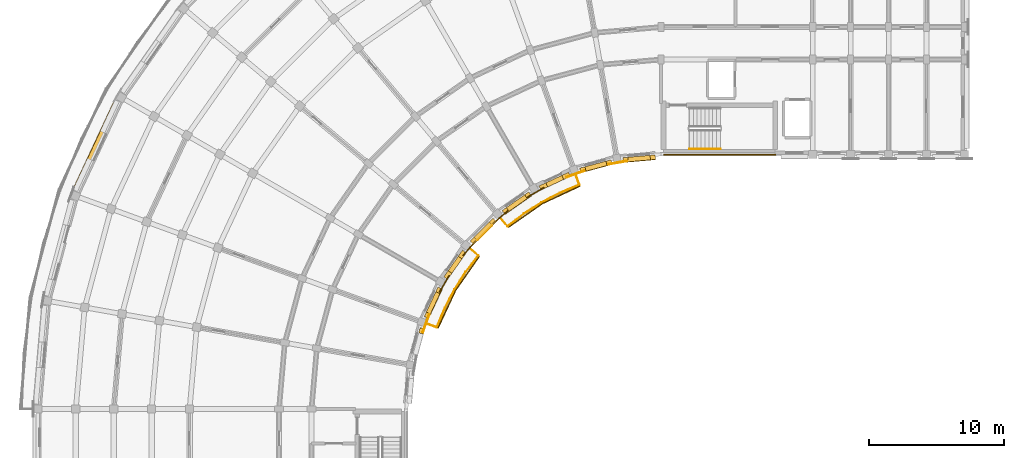
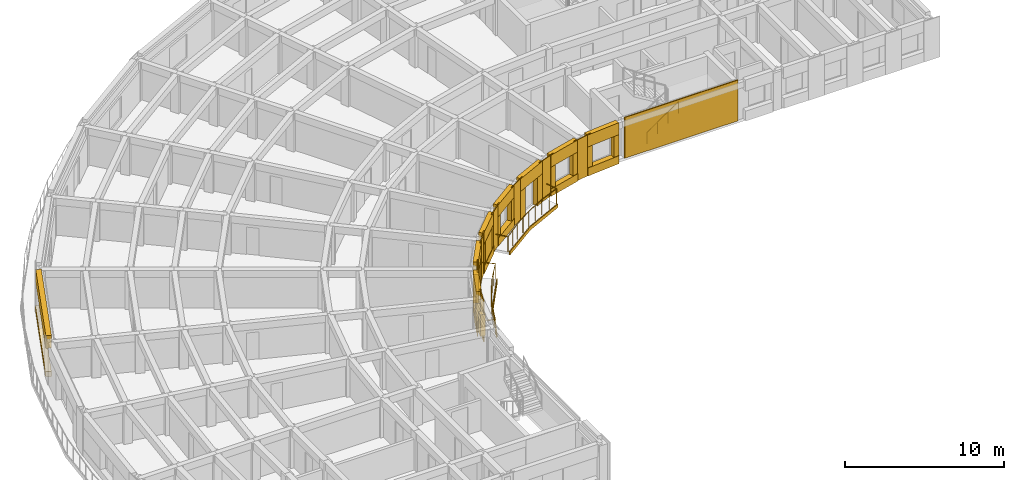
# One storey, part 42 of 53: 39 coverings, 3 railings, 1 shading device.
"""IFC4 building model written with IfcOpenShell, lengths in metres."""

import ifcopenshell
import ifcopenshell.guid

model = None  # the IFC model being written
_history = None  # IfcOwnerHistory: only IFC2X3 demands one
_inside = {}  # id of a spatial element -> (the spatial element, [elements in it])
_under = {}  # id of a project, library or spatial element -> (it, [spatial elements below it])
_declared = {}  # id of a project -> (the project, [libraries it declares])
_typed = {}  # id of a type object -> (the type object, [elements of that type])
_made_of = {}  # id of a material, layer set ... -> (it, [elements and type objects made of it])


def new_model(schema):
    """Start an empty IFC model of exactly this schema.

    Asked for "IFC4X3", IfcOpenShell would pick the latest addendum, in which some entities
    have other attributes; the version numbers below select the first issue.
    IFC2X3 requires an IfcOwnerHistory on every rooted entity: one is made here for all.
    """
    global model, _history
    if schema == "IFC4X3":
        model = ifcopenshell.file(schema_version=(4, 3, 0, 0))
    else:
        model = ifcopenshell.file(schema=schema)
    _inside.clear()
    _under.clear()
    _declared.clear()
    _typed.clear()
    _made_of.clear()
    _history = None
    if model.schema == "IFC2X3":
        org = make("IfcOrganization", Name="unknown")
        user = make(
            "IfcPersonAndOrganization",
            ThePerson=make("IfcPerson", FamilyName="unknown"),
            TheOrganization=org,
        )
        app = make(
            "IfcApplication",
            ApplicationDeveloper=org,
            Version="unknown",
            ApplicationFullName="unknown",
            ApplicationIdentifier="unknown",
        )
        _history = make(
            "IfcOwnerHistory",
            OwningUser=user,
            OwningApplication=app,
            ChangeAction="ADDED",
            CreationDate=0,
        )
    return model


def make(cls, **values):
    """One entity of the class cls with the attributes given. An attribute that is None is left unset."""
    return model.create_entity(
        cls, **{name: value for name, value in values.items() if value is not None}
    )


def rooted(cls, **values):
    """An entity with a GlobalId (a new one), such as an element, a storey or a relation."""
    return make(cls, GlobalId=ifcopenshell.guid.new(), OwnerHistory=_history, **values)


def si_unit(unit_type, name, prefix=None):
    """IfcSIUnit, for example si_unit("LENGTHUNIT", "METRE", prefix="MILLI")."""
    return make("IfcSIUnit", UnitType=unit_type, Prefix=prefix, Name=name)


def assignment(units):
    """IfcUnitAssignment: the units of a project."""
    return None if units is None else make("IfcUnitAssignment", Units=units)


def point(xyz):
    """IfcCartesianPoint."""
    return None if xyz is None else make("IfcCartesianPoint", Coordinates=xyz)


def direction(xyz):
    """IfcDirection."""
    return None if xyz is None else make("IfcDirection", DirectionRatios=xyz)


def frame(location, z_axis=None, x_axis=None):
    """IfcAxis2Placement3D, a coordinate frame: its origin and axes. An axis left out is left unset."""
    return make(
        "IfcAxis2Placement3D",
        Location=point(location),
        Axis=direction(z_axis),
        RefDirection=direction(x_axis),
    )


def frame_2d(location, x_axis=None):
    """IfcAxis2Placement2D, a coordinate frame in the plane: its origin and x axis."""
    return make(
        "IfcAxis2Placement2D", Location=point(location), RefDirection=direction(x_axis)
    )


def origin():
    """The frame at (0, 0, 0) with its axes left unset."""
    return frame((0.0, 0.0, 0.0))


def origin_2d():
    """The frame at (0, 0) in the plane with its x axis left unset."""
    return frame_2d((0.0, 0.0))


def place(relative_to, where):
    """IfcLocalPlacement: puts the frame where relative to a parent placement (None: the world)."""
    return make(
        "IfcLocalPlacement", PlacementRelTo=relative_to, RelativePlacement=where
    )


def context(
    kind, dimensions, precision=None, world=None, true_north=None, identifier=None
):
    """IfcGeometricRepresentationContext, for example the 3D "Model" context."""
    return make(
        "IfcGeometricRepresentationContext",
        ContextIdentifier=identifier,
        ContextType=kind,
        CoordinateSpaceDimension=dimensions,
        Precision=precision,
        WorldCoordinateSystem=world,
        TrueNorth=true_north,
    )


def subcontext(parent, identifier, kind, view, scale=None):
    """IfcGeometricRepresentationSubContext, for example "Body" below "Model"."""
    return make(
        "IfcGeometricRepresentationSubContext",
        ContextIdentifier=identifier,
        ContextType=kind,
        ParentContext=parent,
        TargetScale=scale,
        TargetView=view,
    )


def project(units=None, contexts=None):
    """IfcProject with its units and contexts."""
    return rooted(
        "IfcProject",
        Name="project",
        RepresentationContexts=contexts,
        UnitsInContext=assignment(units),
    )


def spatial(cls, under=None, at=None, **own):
    """A site, building, storey or space (cls), placed at a placement, below another one or the project."""
    s = rooted(cls, ObjectPlacement=at, **own)
    if under is not None:
        _under.setdefault(under.id(), (under, []))[1].append(s)
    return s


def polyline(points):
    """IfcPolyline through the points."""
    return make("IfcPolyline", Points=[point(p) for p in points])


def profile(cls, at=None, kind="AREA", **sizes):
    """A parametric profile (cls). Its sizes go by their IFC names, for example OverallWidth=200.0."""
    return make(cls, ProfileType=kind, Position=at, **sizes)


def rectangle(**sizes):
    """IfcRectangleProfileDef."""
    return profile("IfcRectangleProfileDef", **sizes)


def circle(**sizes):
    """IfcCircleProfileDef."""
    return profile("IfcCircleProfileDef", **sizes)


def outline(outer, holes=None, kind="AREA"):
    """IfcArbitraryClosedProfileDef: a profile drawn as a closed curve; with holes, ...WithVoids."""
    if holes is None:
        return make("IfcArbitraryClosedProfileDef", ProfileType=kind, OuterCurve=outer)
    return make(
        "IfcArbitraryProfileDefWithVoids",
        ProfileType=kind,
        OuterCurve=outer,
        InnerCurves=holes,
    )


def extrude(swept, where, along, depth):
    """IfcExtrudedAreaSolid: the profile swept, set in the frame where, extruded along a direction by depth."""
    return make(
        "IfcExtrudedAreaSolid",
        SweptArea=swept,
        Position=where,
        ExtrudedDirection=direction(along),
        Depth=depth,
    )


def shape(context_of_items, identifier, shape_type, items):
    """IfcShapeRepresentation: the items that make up one representation, for example the "Body"."""
    return make(
        "IfcShapeRepresentation",
        ContextOfItems=context_of_items,
        RepresentationIdentifier=identifier,
        RepresentationType=shape_type,
        Items=items,
    )


def material(Name=None, Category=None):
    """IfcMaterial."""
    return make("IfcMaterial", Name=Name, Category=Category)


def layer(
    of_material, thickness, ventilated=None, Name=None, Category=None, Priority=None
):
    """IfcMaterialLayer: one layer of a wall or slab, of a material (None: an air gap)."""
    return make(
        "IfcMaterialLayer",
        Material=of_material,
        LayerThickness=thickness,
        IsVentilated=ventilated,
        Name=Name,
        Category=Category,
        Priority=Priority,
    )


def layer_set(layers, Name=None):
    """IfcMaterialLayerSet."""
    return make("IfcMaterialLayerSet", MaterialLayers=layers, LayerSetName=Name)


def made_of(thing, what):
    """Note that an element or type object is made of a material, layer set ...; save() writes the relation."""
    if what is not None:
        _made_of.setdefault(what.id(), (what, []))[1].append(thing)
    return thing


def type_object(cls, material=None, **own):
    """A type object (cls), such as IfcWallType, which elements share."""
    return made_of(rooted(cls, **own), material)


def element(
    cls,
    number,
    at=None,
    inside=None,
    cuts=None,
    type_object=None,
    material=None,
    context=None,
    identifier="Body",
    shape_type=None,
    held_by="IfcProductDefinitionShape",
    body=None,
    shapes=None,
    **own,
):
    """One element of the class cls, such as IfcWall. Its Tag is "e" and its number.

    at: its placement. inside: the storey or other place that contains it. cuts: it is an
    opening in that element (IfcRelVoidsElement). A single representation is given by context,
    identifier, shape_type and body (its items); several are given by shapes. held_by: the class
    of the entity that holds the representations. save() writes the other relations.
    """
    e = rooted(cls, Tag="e%d" % number, ObjectPlacement=at, **own)
    if body is not None:
        shapes = [shape(context, identifier, shape_type, body)]
    if shapes is not None:
        e.Representation = make(held_by, Representations=shapes)
    if inside is not None:
        _inside.setdefault(inside.id(), (inside, []))[1].append(e)
    if cuts is not None:
        rooted(
            "IfcRelVoidsElement", RelatingBuildingElement=cuts, RelatedOpeningElement=e
        )
    if type_object is not None:
        _typed.setdefault(type_object.id(), (type_object, []))[1].append(e)
    return made_of(e, material)


def aggregate(whole, parts):
    """IfcRelAggregates: a whole, such as a stair, and the parts it consists of."""
    return rooted("IfcRelAggregates", RelatingObject=whole, RelatedObjects=parts)


def save(model, path):
    """Write the relations noted so far, then the file.

    IfcRelAggregates (storeys below a building ...), IfcRelContainedInSpatialStructure (elements
    in a storey), IfcRelDefinesByType, IfcRelAssociatesMaterial and IfcRelDeclares: one each for
    every whole, place, type object, material and project.
    """
    for whole, parts in _under.values():
        aggregate(whole, parts)
    for where, things in _inside.values():
        rooted(
            "IfcRelContainedInSpatialStructure",
            RelatedElements=things,
            RelatingStructure=where,
        )
    for kind, things in _typed.values():
        rooted("IfcRelDefinesByType", RelatedObjects=things, RelatingType=kind)
    for what, things in _made_of.values():
        rooted("IfcRelAssociatesMaterial", RelatedObjects=things, RelatingMaterial=what)
    for by, libraries in _declared.values():
        rooted("IfcRelDeclares", RelatingContext=by, RelatedDefinitions=libraries)
    model.write(path)


model = new_model("IFC4")

# Units and contexts
model_context = context("Model", 3, precision=1e-05, world=origin(), true_north=direction((0.0, 1.0)))
body_context = subcontext(model_context, "Body", "Model", "MODEL_VIEW")
ifc_project = project(units=[si_unit("LENGTHUNIT", "METRE"), si_unit("AREAUNIT", "SQUARE_METRE"), si_unit("VOLUMEUNIT", "CUBIC_METRE"), si_unit("PLANEANGLEUNIT", "RADIAN"), si_unit("MASSUNIT", "GRAM", prefix="KILO")], contexts=[model_context])

# Site, building, storey
site_placement = place(None, origin())
site = spatial("IfcSite", under=ifc_project, at=site_placement, CompositionType="ELEMENT")
building_placement = place(site_placement, origin())
building = spatial("IfcBuilding", under=site, at=building_placement, Name="Kiranvali Square Residences", CompositionType="ELEMENT")
storey_placement = place(building_placement, frame((0.0, 0.0, 30.75)))
storey = spatial("IfcBuildingStorey", under=building, at=storey_placement, Name="L09", CompositionType="ELEMENT", Elevation=30.75)

# Coverings
ifc_material_1 = material(Name="Carved Porbandar limestone classical entablature and cornice", Category="masonry")
ifc_layer_1 = layer(ifc_material_1, 0.06201171875)
ifc_layer_set_1 = layer_set([ifc_layer_1], Name="Carved Porbandar limestone classical entablature and cornice")
covering_type_1 = type_object("IfcCoveringType", Name="COV-CLAD-GBAL", PredefinedType="CLADDING", material=ifc_layer_set_1)
covering_1_placement = place(storey_placement, frame((0.0, 0.0, -0.219970703125)))
element("IfcCovering", 1, at=covering_1_placement, inside=storey, type_object=covering_type_1, Name="Block A L09 garden balcony limestone fascia 1", PredefinedType="CLADDING", context=body_context, shape_type="SweptSolid", body=[
    extrude(outline(polyline([(42.1982421875, 104.289794921875), (39.426025390625, 102.9970703125), (36.92041015625, 101.242431640625), (36.964111328125, 101.1904296875), (39.4599609375, 102.938232421875), (42.221435546875, 104.225830078125), (42.1982421875, 104.289794921875)])), origin(), (0.0, 0.0, 1.0), 0.27001953125),
])
covering_2_placement = place(storey_placement, frame((0.0, 0.0, -0.219970703125)))
element("IfcCovering", 2, at=covering_2_placement, inside=storey, type_object=covering_type_1, Name="Block A L09 garden balcony limestone fascia 2", PredefinedType="CLADDING", context=body_context, shape_type="SweptSolid", body=[
    extrude(outline(polyline([(34.757568359375, 99.07958984375), (33.0029296875, 96.573974609375), (31.710205078125, 93.8017578125), (31.774169921875, 93.778564453125), (33.061767578125, 96.5400390625), (34.8095703125, 99.035888671875), (34.757568359375, 99.07958984375)])), origin(), (0.0, 0.0, 1.0), 0.27001953125),
])
ifc_material_2 = material(Name="Honed Porbandar limestone ashlar facade cladding", Category="masonry")
ifc_layer_2 = layer(ifc_material_2, 0.3798828125)
ifc_layer_set_2 = layer_set([ifc_layer_2], Name="Honed Porbandar limestone ashlar facade cladding")
covering_type_2 = type_object("IfcCoveringType", Name="COV-CLAD-JAMB", PredefinedType="CLADDING", material=ifc_layer_set_2)
covering_3_placement = place(storey_placement, frame((0.0, 0.0, 0.6220703125)))
element("IfcCovering", 3, at=covering_3_placement, inside=storey, type_object=covering_type_2, Name="L09 deep limestone window jamb reveal A-L09-GDN-00.L", PredefinedType="CLADDING", context=body_context, shape_type="SweptSolid", body=[
    extrude(outline(polyline([(47.76171875, 106.56103515625), (47.3896484375, 106.528564453125), (47.419189453125, 106.1904296875), (47.791259765625, 106.222900390625), (47.76171875, 106.56103515625)])), origin(), (0.0, 0.0, 1.0), 1.599853515625),
])
covering_4_placement = place(storey_placement, frame((0.0, 0.0, 0.6220703125)))
element("IfcCovering", 4, at=covering_4_placement, inside=storey, type_object=covering_type_2, Name="L09 deep limestone window jamb reveal A-L09-GDN-00.R", PredefinedType="CLADDING", context=body_context, shape_type="SweptSolid", body=[
    extrude(outline(polyline([(45.745849609375, 106.384765625), (45.373779296875, 106.352294921875), (45.4033203125, 106.013916015625), (45.775390625, 106.046630859375), (45.745849609375, 106.384765625)])), origin(), (0.0, 0.0, 1.0), 1.599853515625),
])
covering_5_placement = place(storey_placement, frame((0.0, 0.0, 0.572021484375)))
element("IfcCovering", 5, at=covering_5_placement, inside=storey, type_object=covering_type_2, Name="L09 deep limestone window jamb reveal A-L09-GDN-01.L", PredefinedType="CLADDING", context=body_context, shape_type="SweptSolid", body=[
    extrude(outline(polyline([(44.510498046875, 106.199951171875), (44.12548828125, 106.096923828125), (44.21337890625, 105.76904296875), (44.598388671875, 105.8720703125), (44.510498046875, 106.199951171875)])), origin(), (0.0, 0.0, 1.0), 1.64990234375),
])
covering_6_placement = place(storey_placement, frame((0.0, 0.0, 0.572021484375)))
element("IfcCovering", 6, at=covering_6_placement, inside=storey, type_object=covering_type_2, Name="L09 deep limestone window jamb reveal A-L09-GDN-01.R", PredefinedType="CLADDING", context=body_context, shape_type="SweptSolid", body=[
    extrude(outline(polyline([(42.580078125, 105.682861328125), (42.195068359375, 105.57958984375), (42.282958984375, 105.251708984375), (42.66796875, 105.354736328125), (42.580078125, 105.682861328125)])), origin(), (0.0, 0.0, 1.0), 1.64990234375),
])
covering_7_placement = place(storey_placement, origin())
element("IfcCovering", 7, at=covering_7_placement, inside=storey, type_object=covering_type_2, Name="L09 deep limestone window jamb reveal A-L09-GDN-02.L", PredefinedType="CLADDING", context=body_context, shape_type="SweptSolid", body=[
    extrude(outline(polyline([(41.37158203125, 105.27978515625), (40.874267578125, 105.048095703125), (41.017822265625, 104.740234375), (41.514892578125, 104.97216796875), (41.37158203125, 105.27978515625)])), origin(), (0.0, 0.0, 1.0), 2.179931640625),
])
covering_8_placement = place(storey_placement, origin())
element("IfcCovering", 8, at=covering_8_placement, inside=storey, type_object=covering_type_2, Name="L09 deep limestone window jamb reveal A-L09-GDN-02.R", PredefinedType="CLADDING", context=body_context, shape_type="SweptSolid", body=[
    extrude(outline(polyline([(39.696044921875, 104.49853515625), (39.198974609375, 104.266845703125), (39.342529296875, 103.958984375), (39.839599609375, 104.19091796875), (39.696044921875, 104.49853515625)])), origin(), (0.0, 0.0, 1.0), 2.179931640625),
])
covering_9_placement = place(storey_placement, frame((0.0, 0.0, 0.6220703125)))
element("IfcCovering", 9, at=covering_9_placement, inside=storey, type_object=covering_type_2, Name="L09 deep limestone window jamb reveal A-L09-GDN-03.L", PredefinedType="CLADDING", context=body_context, shape_type="SweptSolid", body=[
    extrude(outline(polyline([(38.43994140625, 103.828369140625), (38.1337890625, 103.6142578125), (38.32861328125, 103.336181640625), (38.634521484375, 103.55029296875), (38.43994140625, 103.828369140625)])), origin(), (0.0, 0.0, 1.0), 1.599853515625),
])
covering_10_placement = place(storey_placement, frame((0.0, 0.0, 0.6220703125)))
element("IfcCovering", 10, at=covering_10_placement, inside=storey, type_object=covering_type_2, Name="L09 deep limestone window jamb reveal A-L09-GDN-03.R", PredefinedType="CLADDING", context=body_context, shape_type="SweptSolid", body=[
    extrude(outline(polyline([(36.7822265625, 102.66796875), (36.476318359375, 102.45361328125), (36.671142578125, 102.175537109375), (36.97705078125, 102.3896484375), (36.7822265625, 102.66796875)])), origin(), (0.0, 0.0, 1.0), 1.599853515625),
])
covering_11_placement = place(storey_placement, frame((0.0, 0.0, 0.572021484375)))
element("IfcCovering", 11, at=covering_11_placement, inside=storey, type_object=covering_type_2, Name="L09 deep limestone window jamb reveal A-L09-GDN-04.L", PredefinedType="CLADDING", context=body_context, shape_type="SweptSolid", body=[
    extrude(outline(polyline([(35.804931640625, 101.89013671875), (35.52294921875, 101.6083984375), (35.76318359375, 101.368408203125), (36.044921875, 101.650146484375), (35.804931640625, 101.89013671875)])), origin(), (0.0, 0.0, 1.0), 1.64990234375),
])
covering_12_placement = place(storey_placement, frame((0.0, 0.0, 0.572021484375)))
element("IfcCovering", 12, at=covering_12_placement, inside=storey, type_object=covering_type_2, Name="L09 deep limestone window jamb reveal A-L09-GDN-04.R", PredefinedType="CLADDING", context=body_context, shape_type="SweptSolid", body=[
    extrude(outline(polyline([(34.3916015625, 100.47705078125), (34.10986328125, 100.195068359375), (34.349853515625, 99.955078125), (34.631591796875, 100.23681640625), (34.3916015625, 100.47705078125)])), origin(), (0.0, 0.0, 1.0), 1.64990234375),
])
covering_13_placement = place(storey_placement, origin())
element("IfcCovering", 13, at=covering_13_placement, inside=storey, type_object=covering_type_2, Name="L09 deep limestone window jamb reveal A-L09-GDN-05.L", PredefinedType="CLADDING", context=body_context, shape_type="SweptSolid", body=[
    extrude(outline(polyline([(33.54638671875, 99.523681640625), (33.231689453125, 99.074462890625), (33.509765625, 98.879638671875), (33.824462890625, 99.328857421875), (33.54638671875, 99.523681640625)])), origin(), (0.0, 0.0, 1.0), 2.179931640625),
])
covering_14_placement = place(storey_placement, origin())
element("IfcCovering", 14, at=covering_14_placement, inside=storey, type_object=covering_type_2, Name="L09 deep limestone window jamb reveal A-L09-GDN-05.R", PredefinedType="CLADDING", context=body_context, shape_type="SweptSolid", body=[
    extrude(outline(polyline([(32.486083984375, 98.009521484375), (32.171630859375, 97.56005859375), (32.44970703125, 97.365478515625), (32.76416015625, 97.814697265625), (32.486083984375, 98.009521484375)])), origin(), (0.0, 0.0, 1.0), 2.179931640625),
])
covering_15_placement = place(storey_placement, frame((0.0, 0.0, 0.6220703125)))
element("IfcCovering", 15, at=covering_15_placement, inside=storey, type_object=covering_type_2, Name="L09 deep limestone window jamb reveal A-L09-GDN-06.L", PredefinedType="CLADDING", context=body_context, shape_type="SweptSolid", body=[
    extrude(outline(polyline([(31.733154296875, 96.801025390625), (31.575439453125, 96.46240234375), (31.883056640625, 96.319091796875), (32.041015625, 96.657470703125), (31.733154296875, 96.801025390625)])), origin(), (0.0, 0.0, 1.0), 1.599853515625),
])
covering_16_placement = place(storey_placement, frame((0.0, 0.0, 0.6220703125)))
element("IfcCovering", 16, at=covering_16_placement, inside=storey, type_object=covering_type_2, Name="L09 deep limestone window jamb reveal A-L09-GDN-06.R", PredefinedType="CLADDING", context=body_context, shape_type="SweptSolid", body=[
    extrude(outline(polyline([(30.8779296875, 94.967041015625), (30.72021484375, 94.62841796875), (31.02783203125, 94.485107421875), (31.185791015625, 94.823486328125), (30.8779296875, 94.967041015625)])), origin(), (0.0, 0.0, 1.0), 1.599853515625),
])
covering_17_placement = place(storey_placement, frame((0.0, 0.0, 0.572021484375)))
element("IfcCovering", 17, at=covering_17_placement, inside=storey, type_object=covering_type_2, Name="L09 deep limestone window jamb reveal A-L09-GDN-07.L", PredefinedType="CLADDING", context=body_context, shape_type="SweptSolid", body=[
    extrude(outline(polyline([(30.42041015625, 93.804931640625), (30.317138671875, 93.419921875), (30.645263671875, 93.33203125), (30.748291015625, 93.717041015625), (30.42041015625, 93.804931640625)])), origin(), (0.0, 0.0, 1.0), 1.64990234375),
])
ifc_layer_3 = layer(ifc_material_2, 0.06494140625)
ifc_layer_set_3 = layer_set([ifc_layer_3], Name="Honed Porbandar limestone ashlar facade cladding")
covering_type_3 = type_object("IfcCoveringType", Name="COV-CLAD-PIER", PredefinedType="CLADDING", material=ifc_layer_set_3)
covering_18_placement = place(storey_placement, frame((0.0, 0.0, 0.0048828125)))
element("IfcCovering", 18, at=covering_18_placement, inside=storey, type_object=covering_type_3, Name="Block A L09 garden stair limestone ashlar cladding", PredefinedType="CLADDING", context=body_context, shape_type="SweptSolid", body=[
    extrude(outline(polyline([(48.39990234375, 106.52001953125), (56.64990234375, 106.52001953125), (56.64990234375, 106.597900390625), (48.39990234375, 106.597900390625), (48.39990234375, 106.52001953125)])), origin(), (0.0, 0.0, 1.0), 3.14013671875),
])
ifc_layer_4 = layer(ifc_material_2, 0.050048828125)
ifc_layer_set_4 = layer_set([ifc_layer_4], Name="Honed Porbandar limestone ashlar facade cladding")
covering_type_4 = type_object("IfcCoveringType", Name="COV-CLAD-PIER-IN", PredefinedType="CLADDING", material=ifc_layer_set_4)
covering_19_placement = place(storey_placement, frame((0.0, 0.0, 0.0048828125)))
element("IfcCovering", 19, at=covering_19_placement, inside=storey, type_object=covering_type_4, Name="L09 Classical garden courtyard pilaster CLAD-PRIN-A-L09-A01", PredefinedType="CLADDING", context=body_context, shape_type="SweptSolid", body=[
    extrude(outline(polyline([(44.31005859375, 105.830322265625), (45.688720703125, 106.073486328125), (45.677001953125, 106.139892578125), (44.29833984375, 105.89697265625), (44.31005859375, 105.830322265625)])), origin(), (0.0, 0.0, 1.0), 3.14013671875),
])
covering_20_placement = place(storey_placement, frame((0.0, 0.0, 0.0048828125)))
element("IfcCovering", 20, at=covering_20_placement, inside=storey, type_object=covering_type_4, Name="L09 Classical garden courtyard pilaster CLAD-PRIN-A-L09-A02", PredefinedType="CLADDING", context=body_context, shape_type="SweptSolid", body=[
    extrude(outline(polyline([(41.238037109375, 104.881103515625), (42.5537109375, 105.35986328125), (42.530517578125, 105.42333984375), (41.215087890625, 104.9443359375), (41.238037109375, 104.881103515625)])), origin(), (0.0, 0.0, 1.0), 3.14013671875),
])
covering_21_placement = place(storey_placement, frame((0.0, 0.0, 0.0048828125)))
element("IfcCovering", 21, at=covering_21_placement, inside=storey, type_object=covering_type_4, Name="L09 Classical garden courtyard pilaster CLAD-PRIN-A-L09-A03", PredefinedType="CLADDING", context=body_context, shape_type="SweptSolid", body=[
    extrude(outline(polyline([(38.377685546875, 103.41259765625), (39.59033203125, 104.112548828125), (39.556396484375, 104.171142578125), (38.343994140625, 103.470947265625), (38.377685546875, 103.41259765625)])), origin(), (0.0, 0.0, 1.0), 3.14013671875),
])
covering_22_placement = place(storey_placement, frame((0.0, 0.0, 0.0048828125)))
element("IfcCovering", 22, at=covering_22_placement, inside=storey, type_object=covering_type_4, Name="L09 Classical garden courtyard pilaster CLAD-PRIN-A-L09-A04", PredefinedType="CLADDING", context=body_context, shape_type="SweptSolid", body=[
    extrude(outline(polyline([(35.81591796875, 101.4697265625), (36.888427734375, 102.36962890625), (36.844970703125, 102.42138671875), (35.7724609375, 101.521484375), (35.81591796875, 101.4697265625)])), origin(), (0.0, 0.0, 1.0), 3.14013671875),
])
covering_23_placement = place(storey_placement, frame((0.0, 0.0, 0.0048828125)))
element("IfcCovering", 23, at=covering_23_placement, inside=storey, type_object=covering_type_4, Name="L09 Classical garden courtyard pilaster CLAD-PRIN-A-L09-A05", PredefinedType="CLADDING", context=body_context, shape_type="SweptSolid", body=[
    extrude(outline(polyline([(33.63037109375, 99.111572265625), (34.5302734375, 100.18408203125), (34.478515625, 100.2275390625), (33.57861328125, 99.155029296875), (33.63037109375, 99.111572265625)])), origin(), (0.0, 0.0, 1.0), 3.14013671875),
])
covering_24_placement = place(storey_placement, frame((0.0, 0.0, 0.0048828125)))
element("IfcCovering", 24, at=covering_24_placement, inside=storey, type_object=covering_type_4, Name="L09 Classical garden courtyard pilaster CLAD-PRIN-A-L09-A06", PredefinedType="CLADDING", context=body_context, shape_type="SweptSolid", body=[
    extrude(outline(polyline([(31.887451171875, 96.40966796875), (32.58740234375, 97.622314453125), (32.529052734375, 97.656005859375), (31.828857421875, 96.443603515625), (31.887451171875, 96.40966796875)])), origin(), (0.0, 0.0, 1.0), 3.14013671875),
])
covering_25_placement = place(storey_placement, frame((0.0, 0.0, 0.0048828125)))
element("IfcCovering", 25, at=covering_25_placement, inside=storey, type_object=covering_type_4, Name="L09 Classical garden courtyard pilaster CLAD-PRIN-A-L09-A07", PredefinedType="CLADDING", context=body_context, shape_type="SweptSolid", body=[
    extrude(outline(polyline([(30.64013671875, 93.4462890625), (31.118896484375, 94.761962890625), (31.0556640625, 94.784912109375), (30.57666015625, 93.469482421875), (30.64013671875, 93.4462890625)])), origin(), (0.0, 0.0, 1.0), 3.14013671875),
])
ifc_layer_5 = layer(ifc_material_2, 0.360107421875)
ifc_layer_set_5 = layer_set([ifc_layer_5], Name="Honed Porbandar limestone ashlar facade cladding")
covering_type_5 = type_object("IfcCoveringType", Name="COV-CLAD-WALL", PredefinedType="CLADDING", material=ifc_layer_set_5)
covering_26_placement = place(storey_placement, frame((0.0, 0.0, 2.172119140625)))
element("IfcCovering", 26, at=covering_26_placement, inside=storey, type_object=covering_type_5, Name="L09 light limestone spandrel lintel A-L09-CRV-06", PredefinedType="CLADDING", context=body_context, shape_type="SweptSolid", body=[
    extrude(outline(polyline([(7.888671875, 110.635009765625), (4.7958984375, 104.002197265625), (5.12158203125, 103.850341796875), (8.21435546875, 110.48291015625), (7.888671875, 110.635009765625)])), origin(), (0.0, 0.0, 1.0), 0.972900390625),
])
covering_27_placement = place(storey_placement, frame((0.0, 0.0, 0.0048828125)))
element("IfcCovering", 27, at=covering_27_placement, inside=storey, type_object=covering_type_5, Name="L09 limestone window sill apron A-L09-CRV-06", PredefinedType="CLADDING", context=body_context, shape_type="SweptSolid", body=[
    extrude(outline(polyline([(7.861328125, 110.647705078125), (4.7685546875, 104.014892578125), (5.12158203125, 103.850341796875), (8.21435546875, 110.48291015625), (7.861328125, 110.647705078125)])), origin(), (0.0, 0.0, 1.0), 0.3671875),
])
covering_28_placement = place(storey_placement, frame((0.0, 0.0, 2.221923828125)))
element("IfcCovering", 28, at=covering_28_placement, inside=storey, type_object=covering_type_5, Name="L09 light limestone spandrel lintel A-L09-GDN-00", PredefinedType="CLADDING", context=body_context, shape_type="SweptSolid", body=[
    extrude(outline(polyline([(47.76171875, 106.56103515625), (45.373779296875, 106.352294921875), (45.4033203125, 106.013916015625), (47.791259765625, 106.222900390625), (47.76171875, 106.56103515625)])), origin(), (0.0, 0.0, 1.0), 0.923095703125),
])
covering_29_placement = place(storey_placement, frame((0.0, 0.0, 2.221923828125)))
element("IfcCovering", 29, at=covering_29_placement, inside=storey, type_object=covering_type_5, Name="L09 light limestone spandrel lintel A-L09-GDN-01", PredefinedType="CLADDING", context=body_context, shape_type="SweptSolid", body=[
    extrude(outline(polyline([(44.510498046875, 106.199951171875), (42.195068359375, 105.57958984375), (42.282958984375, 105.251708984375), (44.598388671875, 105.8720703125), (44.510498046875, 106.199951171875)])), origin(), (0.0, 0.0, 1.0), 0.923095703125),
])
covering_30_placement = place(storey_placement, frame((0.0, 0.0, 2.179931640625)))
element("IfcCovering", 30, at=covering_30_placement, inside=storey, type_object=covering_type_5, Name="L09 light limestone spandrel lintel A-L09-GDN-02", PredefinedType="CLADDING", context=body_context, shape_type="SweptSolid", body=[
    extrude(outline(polyline([(41.37158203125, 105.27978515625), (39.198974609375, 104.266845703125), (39.342529296875, 103.958984375), (41.514892578125, 104.97216796875), (41.37158203125, 105.27978515625)])), origin(), (0.0, 0.0, 1.0), 0.965087890625),
])
covering_31_placement = place(storey_placement, frame((0.0, 0.0, 2.221923828125)))
element("IfcCovering", 31, at=covering_31_placement, inside=storey, type_object=covering_type_5, Name="L09 light limestone spandrel lintel A-L09-GDN-03", PredefinedType="CLADDING", context=body_context, shape_type="SweptSolid", body=[
    extrude(outline(polyline([(38.43994140625, 103.828369140625), (36.476318359375, 102.45361328125), (36.671142578125, 102.175537109375), (38.634521484375, 103.55029296875), (38.43994140625, 103.828369140625)])), origin(), (0.0, 0.0, 1.0), 0.923095703125),
])
covering_32_placement = place(storey_placement, frame((0.0, 0.0, 2.221923828125)))
element("IfcCovering", 32, at=covering_32_placement, inside=storey, type_object=covering_type_5, Name="L09 light limestone spandrel lintel A-L09-GDN-04", PredefinedType="CLADDING", context=body_context, shape_type="SweptSolid", body=[
    extrude(outline(polyline([(35.804931640625, 101.89013671875), (34.10986328125, 100.195068359375), (34.349853515625, 99.955078125), (36.044921875, 101.650146484375), (35.804931640625, 101.89013671875)])), origin(), (0.0, 0.0, 1.0), 0.923095703125),
])
covering_33_placement = place(storey_placement, frame((0.0, 0.0, 2.179931640625)))
element("IfcCovering", 33, at=covering_33_placement, inside=storey, type_object=covering_type_5, Name="L09 light limestone spandrel lintel A-L09-GDN-05", PredefinedType="CLADDING", context=body_context, shape_type="SweptSolid", body=[
    extrude(outline(polyline([(33.54638671875, 99.523681640625), (32.171630859375, 97.56005859375), (32.44970703125, 97.365478515625), (33.824462890625, 99.328857421875), (33.54638671875, 99.523681640625)])), origin(), (0.0, 0.0, 1.0), 0.965087890625),
])
covering_34_placement = place(storey_placement, frame((0.0, 0.0, 2.221923828125)))
element("IfcCovering", 34, at=covering_34_placement, inside=storey, type_object=covering_type_5, Name="L09 light limestone spandrel lintel A-L09-GDN-06", PredefinedType="CLADDING", context=body_context, shape_type="SweptSolid", body=[
    extrude(outline(polyline([(31.733154296875, 96.801025390625), (30.72021484375, 94.62841796875), (31.02783203125, 94.485107421875), (32.041015625, 96.657470703125), (31.733154296875, 96.801025390625)])), origin(), (0.0, 0.0, 1.0), 0.923095703125),
])
ifc_layer_6 = layer(ifc_material_2, 0.2900390625)
ifc_layer_set_6 = layer_set([ifc_layer_6], Name="Honed Porbandar limestone ashlar facade cladding")
covering_type_6 = type_object("IfcCoveringType", Name="COV-CLAD-WALL-IN", PredefinedType="CLADDING", material=ifc_layer_set_6)
covering_35_placement = place(storey_placement, frame((0.0, 0.0, 0.0048828125)))
element("IfcCovering", 35, at=covering_35_placement, inside=storey, type_object=covering_type_6, Name="L09 limestone window sill apron A-L09-GDN-00", PredefinedType="CLADDING", context=body_context, shape_type="SweptSolid", body=[
    extrude(outline(polyline([(47.76171875, 106.56103515625), (45.373779296875, 106.352294921875), (45.406005859375, 105.984130859375), (47.7939453125, 106.193115234375), (47.76171875, 106.56103515625)])), origin(), (0.0, 0.0, 1.0), 0.6171875),
])
covering_36_placement = place(storey_placement, frame((0.0, 0.0, 0.0048828125)))
element("IfcCovering", 36, at=covering_36_placement, inside=storey, type_object=covering_type_6, Name="L09 limestone window sill apron A-L09-GDN-01", PredefinedType="CLADDING", context=body_context, shape_type="SweptSolid", body=[
    extrude(outline(polyline([(44.510498046875, 106.199951171875), (42.195068359375, 105.57958984375), (42.290771484375, 105.22265625), (44.606201171875, 105.843017578125), (44.510498046875, 106.199951171875)])), origin(), (0.0, 0.0, 1.0), 0.567138671875),
])
covering_37_placement = place(storey_placement, frame((0.0, 0.0, 0.0048828125)))
element("IfcCovering", 37, at=covering_37_placement, inside=storey, type_object=covering_type_6, Name="L09 limestone window sill apron A-L09-GDN-03", PredefinedType="CLADDING", context=body_context, shape_type="SweptSolid", body=[
    extrude(outline(polyline([(38.43994140625, 103.828369140625), (36.476318359375, 102.45361328125), (36.688232421875, 102.15087890625), (38.65185546875, 103.52587890625), (38.43994140625, 103.828369140625)])), origin(), (0.0, 0.0, 1.0), 0.6171875),
])
covering_38_placement = place(storey_placement, frame((0.0, 0.0, 0.0048828125)))
element("IfcCovering", 38, at=covering_38_placement, inside=storey, type_object=covering_type_6, Name="L09 limestone window sill apron A-L09-GDN-04", PredefinedType="CLADDING", context=body_context, shape_type="SweptSolid", body=[
    extrude(outline(polyline([(35.804931640625, 101.89013671875), (34.10986328125, 100.195068359375), (34.37109375, 99.933837890625), (36.066162109375, 101.62890625), (35.804931640625, 101.89013671875)])), origin(), (0.0, 0.0, 1.0), 0.567138671875),
])
covering_39_placement = place(storey_placement, frame((0.0, 0.0, 0.0048828125)))
element("IfcCovering", 39, at=covering_39_placement, inside=storey, type_object=covering_type_6, Name="L09 limestone window sill apron A-L09-GDN-06", PredefinedType="CLADDING", context=body_context, shape_type="SweptSolid", body=[
    extrude(outline(polyline([(31.733154296875, 96.801025390625), (30.72021484375, 94.62841796875), (31.05517578125, 94.472412109375), (32.068115234375, 96.644775390625), (31.733154296875, 96.801025390625)])), origin(), (0.0, 0.0, 1.0), 0.6171875),
])

# Railings
ifc_material_3 = material(Name="Powder-coated architectural bronze balustrade", Category="steel")
railing_type_1 = type_object("IfcRailingType", Name="RL-BAL-GOLD-1200", PredefinedType="BALUSTRADE", material=ifc_material_3)
railing_1_placement = place(storey_placement, frame((41.78369140625, 105.4287109375, 0.0)))
element("IfcRailing", 40, at=railing_1_placement, inside=storey, type_object=railing_type_1, Name="Block A L09 garden balcony gold balustrade 1", PredefinedType="BALUSTRADE", context=body_context, shape_type="SweptSolid", body=[
    extrude(circle(Radius=0.02392578125, at=origin_2d()), frame((0.0, 0.0, 1.17578125), z_axis=(0.341964618562, -0.939712828289, 0.0), x_axis=(0.939712828289, 0.341964618562, 0.0)), (0.0, 0.0, 1.0), 1.150146484375),
    extrude(circle(Radius=0.02392578125, at=origin_2d()), frame((0.393310546875, -1.080810546875, 1.17578125), z_axis=(-0.923892883829, -0.382651197843, 0.0), x_axis=(0.382651197843, -0.923892883829, 0.0)), (0.0, 0.0, 1.0), 1.536376953125),
    extrude(circle(Radius=0.02392578125, at=origin_2d()), frame((-1.026123046875, -1.668701171875, 1.17578125), z_axis=(-0.887029366154, -0.461713009976, 0.0), x_axis=(0.461713009976, -0.887029366154, 0.0)), (0.0, 0.0, 1.0), 1.5361328125),
    extrude(circle(Radius=0.02392578125, at=origin_2d()), frame((-2.388671875, -2.3779296875, 1.17578125), z_axis=(-0.843386539688, -0.537307309343, 0.0), x_axis=(0.537307309343, -0.843386539688, 0.0)), (0.0, 0.0, 1.0), 1.5361328125),
    extrude(circle(Radius=0.02392578125, at=origin_2d()), frame((-3.684326171875, -3.203369140625, 1.17578125), z_axis=(-0.793314680996, -0.608811807471, 0.0), x_axis=(0.608811807471, -0.793314680996, 0.0)), (0.0, 0.0, 1.0), 1.536376953125),
    extrude(circle(Radius=0.02392578125, at=origin_2d()), frame((-4.903076171875, -4.138671875, 1.17578125), z_axis=(-0.642853454051, 0.765989188314, 0.0), x_axis=(-0.765989188314, -0.642853454051, 0.0)), (0.0, 0.0, 1.0), 1.14990234375),
    extrude(circle(Radius=0.02099609375, at=origin_2d()), origin(), (0.0, 0.0, 1.0), 1.15185546875),
    extrude(circle(Radius=0.02099609375, at=origin_2d()), frame((0.393310546875, -1.080810546875, 0.0)), (0.0, 0.0, 1.0), 1.15185546875),
    extrude(circle(Radius=0.02099609375, at=origin_2d()), frame((-0.31640625, -1.374755859375, 0.0)), (0.0, 0.0, 1.0), 1.15185546875),
    extrude(circle(Radius=0.02099609375, at=origin_2d()), frame((-1.026123046875, -1.668701171875, 0.0)), (0.0, 0.0, 1.0), 1.15185546875),
    extrude(circle(Radius=0.02099609375, at=origin_2d()), frame((-1.70751953125, -2.0234375, 0.0)), (0.0, 0.0, 1.0), 1.15185546875),
    extrude(circle(Radius=0.02099609375, at=origin_2d()), frame((-2.388671875, -2.3779296875, 0.0)), (0.0, 0.0, 1.0), 1.15185546875),
    extrude(circle(Radius=0.02099609375, at=origin_2d()), frame((-3.03662109375, -2.79052734375, 0.0)), (0.0, 0.0, 1.0), 1.15185546875),
    extrude(circle(Radius=0.02099609375, at=origin_2d()), frame((-3.684326171875, -3.203369140625, 0.0)), (0.0, 0.0, 1.0), 1.15185546875),
    extrude(circle(Radius=0.02099609375, at=origin_2d()), frame((-4.293701171875, -3.6708984375, 0.0)), (0.0, 0.0, 1.0), 1.15185546875),
    extrude(circle(Radius=0.02099609375, at=origin_2d()), frame((-4.903076171875, -4.138671875, 0.0)), (0.0, 0.0, 1.0), 1.15185546875),
    extrude(circle(Radius=0.02099609375, at=origin_2d()), frame((-5.642333984375, -3.2578125, 0.0)), (0.0, 0.0, 1.0), 1.15185546875),
])
railing_2_placement = place(storey_placement, frame((33.8291015625, 99.858642578125, 0.0)))
element("IfcRailing", 41, at=railing_2_placement, inside=storey, type_object=railing_type_1, Name="Block A L09 garden balcony gold balustrade 2", PredefinedType="BALUSTRADE", context=body_context, shape_type="SweptSolid", body=[
    extrude(circle(Radius=0.02392578125, at=origin_2d()), frame((0.0, 0.0, 1.17578125), z_axis=(0.765989188314, -0.642853454051, 0.0), x_axis=(0.642853454051, 0.765989188314, 0.0)), (0.0, 0.0, 1.0), 1.14990234375),
    extrude(circle(Radius=0.02392578125, at=origin_2d()), frame((0.880859375, -0.7392578125, 1.17578125), z_axis=(-0.608811807471, -0.793314680996, 0.0), x_axis=(0.793314680996, -0.608811807471, 0.0)), (0.0, 0.0, 1.0), 1.536376953125),
    extrude(circle(Radius=0.02392578125, at=origin_2d()), frame((-0.054443359375, -1.9580078125, 1.17578125), z_axis=(-0.537307309343, -0.843386539688, 0.0), x_axis=(0.843386539688, -0.537307309343, 0.0)), (0.0, 0.0, 1.0), 1.5361328125),
    extrude(circle(Radius=0.02392578125, at=origin_2d()), frame((-0.8798828125, -3.253662109375, 1.17578125), z_axis=(-0.461713009976, -0.887029366154, 0.0), x_axis=(0.887029366154, -0.461713009976, 0.0)), (0.0, 0.0, 1.0), 1.5361328125),
    extrude(circle(Radius=0.02392578125, at=origin_2d()), frame((-1.589111328125, -4.6162109375, 1.17578125), z_axis=(-0.382651197843, -0.923892883829, 0.0), x_axis=(0.923892883829, -0.382651197843, 0.0)), (0.0, 0.0, 1.0), 1.536376953125),
    extrude(circle(Radius=0.02392578125, at=origin_2d()), frame((-2.177001953125, -6.03564453125, 1.17578125), z_axis=(-0.939712828289, 0.341964618562, 0.0), x_axis=(-0.341964618562, -0.939712828289, 0.0)), (0.0, 0.0, 1.0), 1.150146484375),
    extrude(circle(Radius=0.02099609375, at=origin_2d()), origin(), (0.0, 0.0, 1.0), 1.15185546875),
    extrude(circle(Radius=0.02099609375, at=origin_2d()), frame((0.880859375, -0.7392578125, 0.0)), (0.0, 0.0, 1.0), 1.15185546875),
    extrude(circle(Radius=0.02099609375, at=origin_2d()), frame((0.4130859375, -1.3486328125, 0.0)), (0.0, 0.0, 1.0), 1.15185546875),
    extrude(circle(Radius=0.02099609375, at=origin_2d()), frame((-0.054443359375, -1.9580078125, 0.0)), (0.0, 0.0, 1.0), 1.15185546875),
    extrude(circle(Radius=0.02099609375, at=origin_2d()), frame((-0.46728515625, -2.60595703125, 0.0)), (0.0, 0.0, 1.0), 1.15185546875),
    extrude(circle(Radius=0.02099609375, at=origin_2d()), frame((-0.8798828125, -3.253662109375, 0.0)), (0.0, 0.0, 1.0), 1.15185546875),
    extrude(circle(Radius=0.02099609375, at=origin_2d()), frame((-1.234375, -3.93505859375, 0.0)), (0.0, 0.0, 1.0), 1.15185546875),
    extrude(circle(Radius=0.02099609375, at=origin_2d()), frame((-1.589111328125, -4.6162109375, 0.0)), (0.0, 0.0, 1.0), 1.15185546875),
    extrude(circle(Radius=0.02099609375, at=origin_2d()), frame((-1.883056640625, -5.325927734375, 0.0)), (0.0, 0.0, 1.0), 1.15185546875),
    extrude(circle(Radius=0.02099609375, at=origin_2d()), frame((-2.177001953125, -6.03564453125, 0.0)), (0.0, 0.0, 1.0), 1.15185546875),
    extrude(circle(Radius=0.02099609375, at=origin_2d()), frame((-3.2578125, -5.642333984375, 0.0)), (0.0, 0.0, 1.0), 1.15185546875),
])
ifc_material_4 = material(Name="Brushed stainless steel tubular handrail", Category="steel")
railing_type_2 = type_object("IfcRailingType", Name="RL-HANDRAIL-900", PredefinedType="HANDRAIL", material=ifc_material_4)
railing_3_placement = place(storey_placement, frame((50.300048828125, 107.0, 0.175048828125)))
element("IfcRailing", 42, at=railing_3_placement, inside=storey, type_object=railing_type_2, Name="L09 ST-A2 stair handrail 1", PredefinedType="HANDRAIL", context=body_context, shape_type="SweptSolid", body=[
    extrude(circle(Radius=0.02392578125, at=origin_2d()), frame((0.0, 0.0, 0.8759765625), z_axis=(0.82278801735, 0.0, 0.568348377763), x_axis=(0.0, 1.0, 0.0)), (0.0, 0.0, 1.0), 2.77099609375),
    extrude(circle(Radius=0.02099609375, at=origin_2d()), origin(), (0.0, 0.0, 1.0), 0.851806640625),
    extrude(circle(Radius=0.02099609375, at=origin_2d()), frame((0.760009765625, 0.0, 0.52490234375)), (0.0, 0.0, 1.0), 0.851806640625),
    extrude(circle(Radius=0.02099609375, at=origin_2d()), frame((1.52001953125, 0.0, 1.050048828125)), (0.0, 0.0, 1.0), 0.851806640625),
    extrude(circle(Radius=0.02099609375, at=origin_2d()), frame((2.280029296875, 0.0, 1.574951171875)), (0.0, 0.0, 1.0), 0.851806640625),
])

# Shading device
ifc_material_5 = material(Name="Pierced buff sandstone architectural mashrabiya solar screen", Category="masonry")
shading_device_type = type_object("IfcShadingDeviceType", Name="SHD-JALI-1600", PredefinedType="JALOUSIE", material=ifc_material_5)
shading_device_placement = place(storey_placement, frame((35.183349609375, 100.816650390625, 0.572021484375), z_axis=(0.0, 0.0, 1.0), x_axis=(-0.707106781187, -0.707106781187, 0.0)))
element("IfcShadingDevice", 43, at=shading_device_placement, inside=storey, type_object=shading_device_type, Name="L09 carved stone Mashrabiya screen A-L09-GDN-04", PredefinedType="JALOUSIE", context=body_context, shape_type="SweptSolid", body=[
    extrude(rectangle(XDim=1.5, YDim=0.044921875, at=origin_2d()), origin(), (0.0, 0.0, 1.0), 1.64990234375),
])

save(model, "model.ifc")
